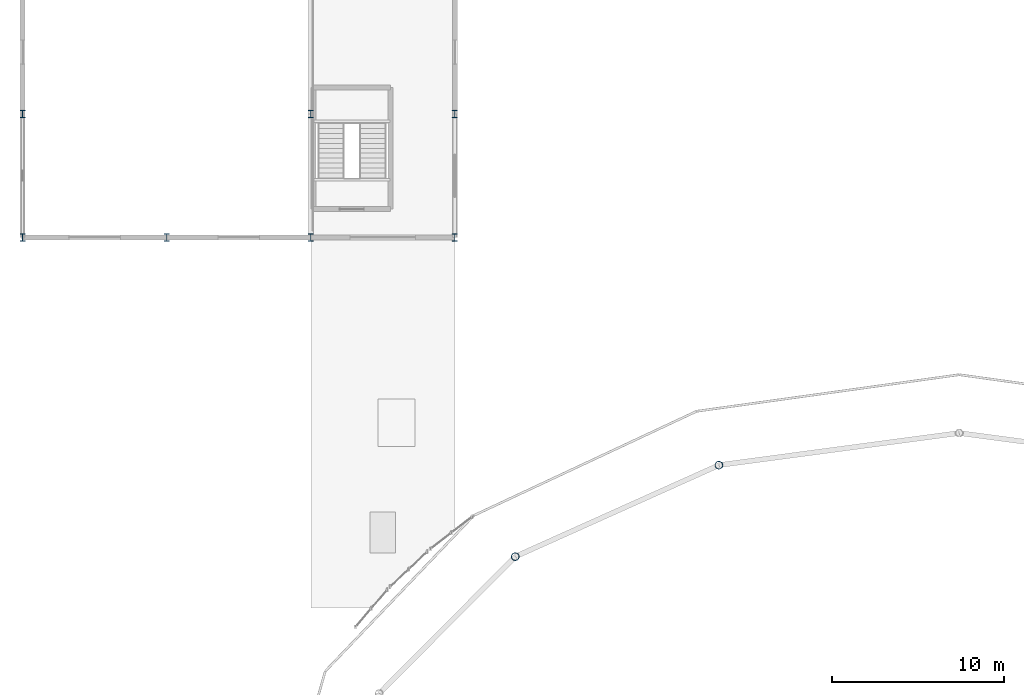
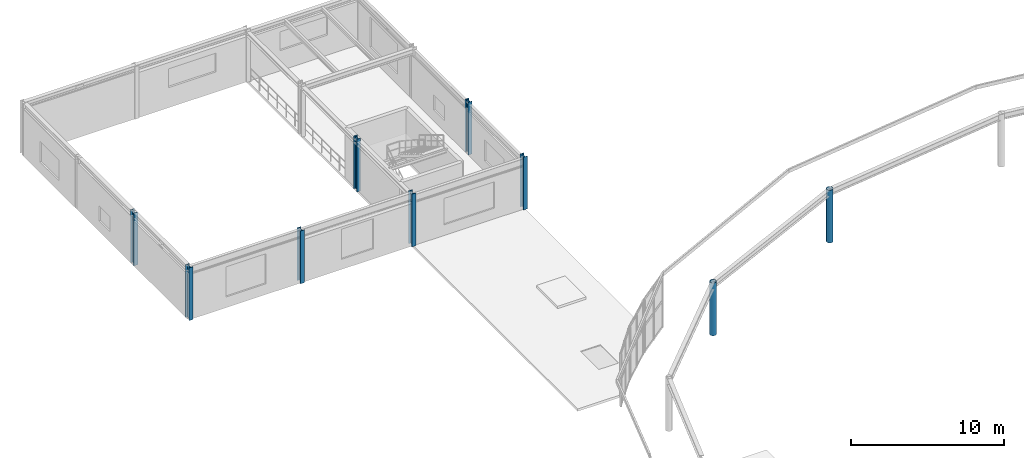
# One storey, part 6 of 73: 9 columns.
"""IFC4 building model written with IfcOpenShell, lengths in metres."""

from ifc_helpers import new_model, si_unit, derived_unit, direction, frame, origin, origin_2d, place, context, subcontext, project, spatial, hollow_circle, i_section, extrude, material, material_profile, profile_set, type_object, element, save


model = new_model("IFC4")

# Units and contexts
model_context = context("Model", 3, precision=1e-05, world=origin(), true_north=direction((0.0, 1.0)))
body_context = subcontext(model_context, "Body", "Model", "MODEL_VIEW")
ifc_project = project(units=[si_unit("LENGTHUNIT", "METRE"), si_unit("AREAUNIT", "SQUARE_METRE"), si_unit("VOLUMEUNIT", "CUBIC_METRE"), si_unit("PLANEANGLEUNIT", "RADIAN"), si_unit("MASSUNIT", "GRAM", prefix="KILO"), derived_unit("THERMALTRANSMITTANCEUNIT", [(si_unit("MASSUNIT", "GRAM", prefix="KILO"), 1), (si_unit("TIMEUNIT", "SECOND"), -3), (si_unit("THERMODYNAMICTEMPERATUREUNIT", "KELVIN"), -1)])], contexts=[model_context])

# Site, building, storey
site_placement = place(None, origin())
site = spatial("IfcSite", under=ifc_project, at=site_placement, CompositionType="ELEMENT")
building_placement = place(site_placement, origin())
building = spatial("IfcBuilding", under=site, at=building_placement, Name="Kharveza Railside Sports Centre", CompositionType="ELEMENT")
storey_placement = place(building_placement, frame((0.0, 0.0, 8.699951171875)))
storey = spatial("IfcBuildingStorey", under=building, at=storey_placement, Name="L02", CompositionType="ELEMENT", Elevation=8.699951171875)

# Columns
ifc_material = material(Name="Steel S355J2", Category="steel")
ifc_material_profile_1 = material_profile(ifc_material, i_section(OverallWidth=0.300048828125, OverallDepth=0.449951171875, WebThickness=0.013916015625, FlangeThickness=0.02587890625, FilletRadius=0.027099609375, at=origin_2d()), Name="HEB 450")
ifc_profile_set_1 = profile_set([ifc_material_profile_1], Name="Steel S355J2")
column_type_1 = type_object("IfcColumnType", Name="COL-S04", PredefinedType="COLUMN", material=ifc_profile_set_1)
for number, where, z_axis, x_axis, name in (
    (1, (0.0, 86.39990234375, 0.0), (0.0, 0.0, 1.0), (1.0, 0.0, 0.0), "COL-G-C04-X0-Y864-L02"),
    (2, (0.0, 93.60009765625, 0.0), (0.0, 0.0, 1.0), (1.0, 0.0, 0.0), "COL-G-C04-X0-Y936-L02"),
    (3, (8.39990234375, 86.39990234375, 0.0), (0.0, 0.0, 1.0), (1.0, 0.0, 0.0), "COL-G-C04-X84-Y864-L02"),
    (4, (16.800048828125, 86.39990234375, 0.0), (0.0, 0.0, 1.0), (1.0, 0.0, 0.0), "COL-G-C04-X168-Y864-L02"),
    (5, (16.800048828125, 93.60009765625, 0.0), (0.0, 0.0, 1.0), (1.0, 0.0, 0.0), "COL-G-C04-X168-Y936-L02"),
    (6, (25.199951171875, 86.39990234375, 0.0), (0.0, 0.0, 1.0), (1.0, 0.0, 0.0), "COL-G-C04-X252-Y864-L02"),
    (7, (25.199951171875, 93.60009765625, 0.0), (0.0, 0.0, 1.0), (1.0, 0.0, 0.0), "COL-G-C04-X252-Y936-L02"),
):
    element("IfcColumn", number, at=place(storey_placement, frame(where, z_axis=z_axis, x_axis=x_axis)), inside=storey, type_object=column_type_1, Name=name, PredefinedType="COLUMN", context=body_context, shape_type="SweptSolid", body=[
        extrude(i_section(OverallWidth=0.300048828125, OverallDepth=0.449951171875, WebThickness=0.013916015625, FlangeThickness=0.02587890625, FilletRadius=0.027099609375, at=origin_2d()), origin(), (0.0, 0.0, 1.0), 4.199951171875),
    ])
ifc_material_profile_2 = material_profile(ifc_material, hollow_circle(Radius=0.228515625, WallThickness=0.02001953125, at=origin_2d()), Name="CHS 457.0x20.0")
ifc_profile_set_2 = profile_set([ifc_material_profile_2], Name="Steel S355J2")
column_type_2 = type_object("IfcColumnType", Name="COL-T01", PredefinedType="COLUMN", material=ifc_profile_set_2)
for number, where, z_axis, x_axis, name in (
    (8, (40.59375, 73.12744140625, 0.0), (0.0, 0.0, 1.0), (1.0, 0.0, 0.0), "COL-DRUM-06-L02"),
    (9, (28.719970703125, 67.794921875, 0.0), (0.0, 0.0, 1.0), (1.0, 0.0, 0.0), "COL-DRUM-07-L02"),
):
    element("IfcColumn", number, at=place(storey_placement, frame(where, z_axis=z_axis, x_axis=x_axis)), inside=storey, type_object=column_type_2, Name=name, PredefinedType="COLUMN", context=body_context, shape_type="SweptSolid", body=[
        extrude(hollow_circle(Radius=0.228515625, WallThickness=0.02001953125, at=origin_2d()), origin(), (0.0, 0.0, 1.0), 4.199951171875),
    ])

save(model, "model.ifc")
